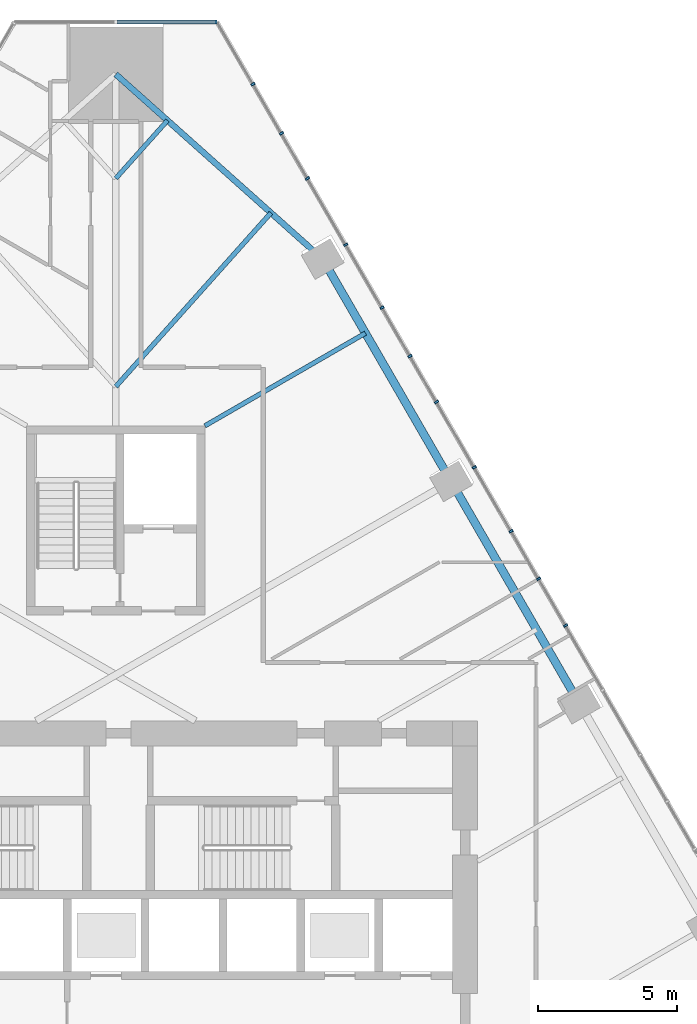
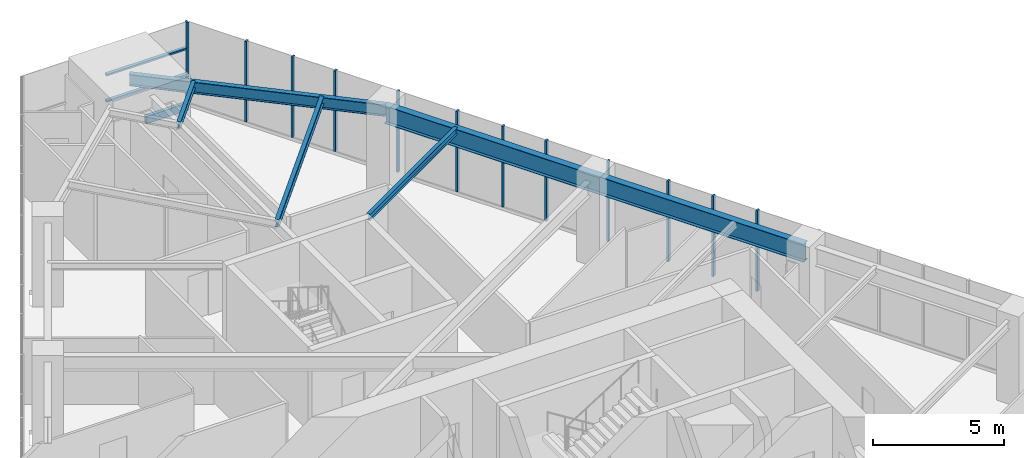
# One storey, part 10 of 19: 15 members, 5 beams, 2 elements without a shape of their own.
"""IFC4 building model written with IfcOpenShell, lengths in metres."""

from ifc_helpers import new_model, si_unit, direction, frame, origin, origin_2d, place, context, subcontext, project, spatial, rectangle, i_section, extrude, material, layer, layer_set, material_profile, profile_set, type_object, element, aggregate, save


model = new_model("IFC4")

# Units and contexts
model_context = context("Model", 3, precision=1e-05, world=origin(), true_north=direction((0.0, 1.0)))
body_context = subcontext(model_context, "Body", "Model", "MODEL_VIEW")
ifc_project = project(units=[si_unit("LENGTHUNIT", "METRE"), si_unit("AREAUNIT", "SQUARE_METRE"), si_unit("VOLUMEUNIT", "CUBIC_METRE"), si_unit("PLANEANGLEUNIT", "RADIAN"), si_unit("MASSUNIT", "GRAM", prefix="KILO")], contexts=[model_context])

# Site, building, storey
site_placement = place(None, origin())
site = spatial("IfcSite", under=ifc_project, at=site_placement, CompositionType="ELEMENT")
building_placement = place(site_placement, origin())
building = spatial("IfcBuilding", under=site, at=building_placement, Name="Firuza Gate Tower and Library", CompositionType="ELEMENT")
storey_placement = place(building_placement, frame((0.0, 0.0, 136.60009765625)))
storey = spatial("IfcBuildingStorey", under=building, at=storey_placement, Name="L31", CompositionType="ELEMENT", Elevation=136.60009765625)

# Curtain wall, members
ifc_material_1 = material(Name="Aluminium 6063-T6", Category="aluminium")
ifc_layer_1 = layer(ifc_material_1, 0.14990234375)
ifc_layer_set_1 = layer_set([ifc_layer_1], Name="Unitised curtain wall, offices")
curtain_wall_type_1 = type_object("IfcCurtainWallType", Name="Unitised curtain wall, offices", PredefinedType="NOTDEFINED", material=ifc_layer_set_1)
placement = place(storey_placement, origin())
curtain_wall_1 = element("IfcCurtainWall", 1, at=placement, inside=storey, type_object=curtain_wall_type_1, Name="CW1 L31 E face", PredefinedType="NOTDEFINED")
ifc_material_2 = material(Name="Aluminium 6063-T6", Category="aluminium")
ifc_material_profile_1 = material_profile(ifc_material_2, rectangle(XDim=0.14990234375, YDim=0.080078125, at=origin_2d()))
ifc_profile_set_1 = profile_set([ifc_material_profile_1], Name="Aluminium 6063-T6")
member_type_1 = type_object("IfcMemberType", Name="Curtain wall mullion 80x150", PredefinedType="MULLION", material=ifc_profile_set_1)
member_1_placement = place(storey_placement, frame((90.190185546875, 89.103515625, 0.14990234375), z_axis=(0.0, 0.0, 1.0), x_axis=(-0.866025403784, -0.5, 0.0)))
member_1 = element("IfcMember", 2, at=member_1_placement, type_object=member_type_1, Name="Mullion", PredefinedType="MULLION", context=body_context, shape_type="SweptSolid", body=[
    extrude(rectangle(XDim=0.14990234375, YDim=0.080078125, at=origin_2d()), origin(), (0.0, 0.0, 1.0), 3.75),
])
member_2_placement = place(storey_placement, frame((87.880859375, 93.103271484375, 0.14990234375), z_axis=(0.0, 0.0, 1.0), x_axis=(-0.866025403784, -0.5, 0.0)))
member_2 = element("IfcMember", 3, at=member_2_placement, type_object=member_type_1, Name="Mullion", PredefinedType="MULLION", context=body_context, shape_type="SweptSolid", body=[
    extrude(rectangle(XDim=0.14990234375, YDim=0.080078125, at=origin_2d()), origin(), (0.0, 0.0, 1.0), 3.75),
])
member_3_placement = place(storey_placement, frame((85.571533203125, 97.103271484375, 0.14990234375), z_axis=(0.0, 0.0, 1.0), x_axis=(-0.866025403784, -0.5, 0.0)))
member_3 = element("IfcMember", 4, at=member_3_placement, type_object=member_type_1, Name="Mullion", PredefinedType="MULLION", context=body_context, shape_type="SweptSolid", body=[
    extrude(rectangle(XDim=0.14990234375, YDim=0.080078125, at=origin_2d()), origin(), (0.0, 0.0, 1.0), 3.75),
])
member_4_placement = place(storey_placement, frame((83.261962890625, 101.103271484375, 0.14990234375), z_axis=(0.0, 0.0, 1.0), x_axis=(-0.866025403784, -0.5, 0.0)))
member_4 = element("IfcMember", 5, at=member_4_placement, type_object=member_type_1, Name="Mullion", PredefinedType="MULLION", context=body_context, shape_type="SweptSolid", body=[
    extrude(rectangle(XDim=0.14990234375, YDim=0.080078125, at=origin_2d()), origin(), (0.0, 0.0, 1.0), 3.75),
])
member_5_placement = place(storey_placement, frame((80.95263671875, 105.103271484375, 0.14990234375), z_axis=(0.0, 0.0, 1.0), x_axis=(-0.866025403784, -0.5, 0.0)))
member_5 = element("IfcMember", 6, at=member_5_placement, type_object=member_type_1, Name="Mullion", PredefinedType="MULLION", context=body_context, shape_type="SweptSolid", body=[
    extrude(rectangle(XDim=0.14990234375, YDim=0.080078125, at=origin_2d()), origin(), (0.0, 0.0, 1.0), 3.75),
])
member_6_placement = place(storey_placement, frame((91.15966796875, 87.42431640625, 0.14990234375), z_axis=(0.0, 0.0, 1.0), x_axis=(-0.866025403784, -0.5, 0.0)))
member_6 = element("IfcMember", 7, at=member_6_placement, type_object=member_type_1, Name="Mullion", PredefinedType="MULLION", context=body_context, shape_type="SweptSolid", body=[
    extrude(rectangle(XDim=0.14990234375, YDim=0.080078125, at=origin_2d()), origin(), (0.0, 0.0, 1.0), 3.75),
])
member_7_placement = place(storey_placement, frame((89.20361328125, 90.8125, 0.14990234375), z_axis=(0.0, 0.0, 1.0), x_axis=(-0.866025403784, -0.5, 0.0)))
member_7 = element("IfcMember", 8, at=member_7_placement, type_object=member_type_1, Name="Mullion", PredefinedType="MULLION", context=body_context, shape_type="SweptSolid", body=[
    extrude(rectangle(XDim=0.14990234375, YDim=0.080078125, at=origin_2d()), origin(), (0.0, 0.0, 1.0), 3.75),
])
member_8_placement = place(storey_placement, frame((86.5234375, 95.454345703125, 0.14990234375), z_axis=(0.0, 0.0, 1.0), x_axis=(-0.866025403784, -0.5, 0.0)))
member_8 = element("IfcMember", 9, at=member_8_placement, type_object=member_type_1, Name="Mullion", PredefinedType="MULLION", context=body_context, shape_type="SweptSolid", body=[
    extrude(rectangle(XDim=0.14990234375, YDim=0.080078125, at=origin_2d()), origin(), (0.0, 0.0, 1.0), 3.75),
])
member_9_placement = place(storey_placement, frame((84.5673828125, 98.842529296875, 0.14990234375), z_axis=(0.0, 0.0, 1.0), x_axis=(-0.866025403784, -0.5, 0.0)))
member_9 = element("IfcMember", 10, at=member_9_placement, type_object=member_type_1, Name="Mullion", PredefinedType="MULLION", context=body_context, shape_type="SweptSolid", body=[
    extrude(rectangle(XDim=0.14990234375, YDim=0.080078125, at=origin_2d()), origin(), (0.0, 0.0, 1.0), 3.75),
])
member_10_placement = place(storey_placement, frame((81.887451171875, 103.484375, 0.14990234375), z_axis=(0.0, 0.0, 1.0), x_axis=(-0.866025403784, -0.5, 0.0)))
member_10 = element("IfcMember", 11, at=member_10_placement, type_object=member_type_1, Name="Mullion", PredefinedType="MULLION", context=body_context, shape_type="SweptSolid", body=[
    extrude(rectangle(XDim=0.14990234375, YDim=0.080078125, at=origin_2d()), origin(), (0.0, 0.0, 1.0), 3.75),
])
member_11_placement = place(storey_placement, frame((79.93115234375, 106.87255859375, 0.14990234375), z_axis=(0.0, 0.0, 1.0), x_axis=(-0.866025403784, -0.5, 0.0)))
member_11 = element("IfcMember", 12, at=member_11_placement, type_object=member_type_1, Name="Mullion", PredefinedType="MULLION", context=body_context, shape_type="SweptSolid", body=[
    extrude(rectangle(XDim=0.14990234375, YDim=0.080078125, at=origin_2d()), origin(), (0.0, 0.0, 1.0), 3.75),
])
aggregate(curtain_wall_1, [member_1, member_2, member_3, member_4, member_5, member_6, member_7, member_8, member_9, member_10, member_11])

ifc_material_3 = material(Name="Aluminium 6063-T6", Category="aluminium")
ifc_layer_2 = layer(ifc_material_3, 0.14990234375)
ifc_layer_set_2 = layer_set([ifc_layer_2], Name="Corner curtain wall, chamfers")
curtain_wall_type_2 = type_object("IfcCurtainWallType", Name="Corner curtain wall, chamfers", PredefinedType="NOTDEFINED", material=ifc_layer_set_2)
curtain_wall_2 = element("IfcCurtainWall", 13, at=placement, inside=storey, type_object=curtain_wall_type_2, Name="CW4 L31 N corner", PredefinedType="NOTDEFINED")
member_12_placement = place(storey_placement, frame((78.603271484375, 109.103271484375, 0.14990234375), z_axis=(0.0, 0.0, 1.0), x_axis=(0.0, -1.0, 0.0)))
member_12 = element("IfcMember", 14, at=member_12_placement, type_object=member_type_1, Name="Mullion", PredefinedType="MULLION", context=body_context, shape_type="SweptSolid", body=[
    extrude(rectangle(XDim=0.14990234375, YDim=0.080078125, at=origin_2d()), origin(), (0.0, 0.0, 1.0), 3.75),
])
ifc_material_4 = material(Name="Aluminium 6063-T6", Category="aluminium")
ifc_material_profile_2 = material_profile(ifc_material_4, rectangle(XDim=0.14990234375, YDim=0.35009765625, at=origin_2d()))
ifc_profile_set_2 = profile_set([ifc_material_profile_2], Name="Aluminium 6063-T6")
member_type_2 = type_object("IfcMemberType", Name="Curtain wall transom 350x150", PredefinedType="USERDEFINED", material=ifc_profile_set_2)
member_13_placement = place(storey_placement, frame((78.643310546875, 109.103271484375, -0.025146484375), z_axis=(-1.0, 0.0, 0.0), x_axis=(0.0, -1.0, 0.0)))
member_13 = element("IfcMember", 15, at=member_13_placement, type_object=member_type_2, Name="Transom", ObjectType="TRANSOM", PredefinedType="USERDEFINED", context=body_context, shape_type="SweptSolid", body=[
    extrude(rectangle(XDim=0.14990234375, YDim=0.35009765625, at=origin_2d()), origin(), (0.0, 0.0, 1.0), 1.863525390625),
])
ifc_material_5 = material(Name="Aluminium 6063-T6", Category="aluminium")
ifc_material_profile_3 = material_profile(ifc_material_5, rectangle(XDim=0.14990234375, YDim=0.080078125, at=origin_2d()))
ifc_profile_set_3 = profile_set([ifc_material_profile_3], Name="Aluminium 6063-T6")
member_type_3 = type_object("IfcMemberType", Name="Curtain wall transom 80x150", PredefinedType="USERDEFINED", material=ifc_profile_set_3)
member_14_placement = place(storey_placement, frame((78.603271484375, 109.103271484375, 1.449951171875), z_axis=(-1.0, 0.0, 0.0), x_axis=(0.0, -1.0, 0.0)))
member_14 = element("IfcMember", 16, at=member_14_placement, type_object=member_type_3, Name="Transom", ObjectType="TRANSOM", PredefinedType="USERDEFINED", context=body_context, shape_type="SweptSolid", body=[
    extrude(rectangle(XDim=0.14990234375, YDim=0.080078125, at=origin_2d()), origin(), (0.0, 0.0, 1.0), 3.563232421875),
])
member_15_placement = place(storey_placement, frame((78.603271484375, 109.103271484375, 2.6748046875), z_axis=(-1.0, 0.0, 0.0), x_axis=(0.0, -1.0, 0.0)))
member_15 = element("IfcMember", 17, at=member_15_placement, type_object=member_type_3, Name="Transom", ObjectType="TRANSOM", PredefinedType="USERDEFINED", context=body_context, shape_type="SweptSolid", body=[
    extrude(rectangle(XDim=0.14990234375, YDim=0.080078125, at=origin_2d()), origin(), (0.0, 0.0, 1.0), 3.563232421875),
])
aggregate(curtain_wall_2, [member_12, member_13, member_14, member_15])

# Beams
ifc_material_6 = material(Name="Steel S355", Category="steel")
ifc_material_profile_4 = material_profile(ifc_material_6, i_section(OverallWidth=0.1650390625, OverallDepth=0.31005859375, WebThickness=0.005859375, FlangeThickness=0.009765625, at=origin_2d()))
ifc_profile_set_4 = profile_set([ifc_material_profile_4], Name="Steel S355")
beam_type_1 = type_object("IfcBeamType", Name="W310x39 Floor beam", PredefinedType="JOIST", material=ifc_profile_set_4)
beam_1_placement = place(storey_placement, frame((83.96923828125, 97.928466796875, 3.744873046875), z_axis=(-0.866015314403, -0.500017474915, 0.0), x_axis=(0.500017474915, -0.866015314403, 0.0)))
element("IfcBeam", 18, at=beam_1_placement, inside=storey, type_object=beam_type_1, Name="Floor beam L31 s55", PredefinedType="JOIST", context=body_context, shape_type="SweptSolid", body=[
    extrude(i_section(OverallWidth=0.1650390625, OverallDepth=0.31005859375, WebThickness=0.005859375, FlangeThickness=0.009765625, at=origin_2d()), origin(), (0.0, 0.0, 1.0), 6.661865234375),
])
beam_2_placement = place(storey_placement, frame((76.858154296875, 105.56884765625, 3.744873046875), z_axis=(-0.666160121877, -0.745808750298, 0.0), x_axis=(0.745808750298, -0.666160121877, 0.0)))
element("IfcBeam", 19, at=beam_2_placement, inside=storey, type_object=beam_type_1, Name="Floor beam L31 s61", PredefinedType="JOIST", context=body_context, shape_type="SweptSolid", body=[
    extrude(i_section(OverallWidth=0.1650390625, OverallDepth=0.31005859375, WebThickness=0.005859375, FlangeThickness=0.009765625, at=origin_2d()), origin(), (0.0, 0.0, 1.0), 2.789306640625),
])
ifc_material_7 = material(Name="Steel S355", Category="steel")
ifc_material_profile_5 = material_profile(ifc_material_7, i_section(OverallWidth=0.1708984375, OverallDepth=0.35498046875, WebThickness=0.007080078125, FlangeThickness=0.01171875, at=origin_2d()))
ifc_profile_set_5 = profile_set([ifc_material_profile_5], Name="Steel S355")
beam_type_2 = type_object("IfcBeamType", Name="W360x51 Floor beam", PredefinedType="JOIST", material=ifc_profile_set_5)
beam_3_placement = place(storey_placement, frame((80.57421875, 102.250244140625, 3.722412109375), z_axis=(-0.666114903296, -0.745849137297, 0.0), x_axis=(0.745849137297, -0.666114903296, 0.0)))
element("IfcBeam", 20, at=beam_3_placement, inside=storey, type_object=beam_type_2, Name="Floor beam L31 s60", PredefinedType="JOIST", context=body_context, shape_type="SweptSolid", body=[
    extrude(i_section(OverallWidth=0.1708984375, OverallDepth=0.35498046875, WebThickness=0.007080078125, FlangeThickness=0.01171875, at=origin_2d()), origin(), (0.0, 0.0, 1.0), 8.3681640625),
])
ifc_material_8 = material(Name="Steel S355", Category="steel")
ifc_material_profile_6 = material_profile(ifc_material_8, i_section(OverallWidth=0.212890625, OverallDepth=0.5390625, WebThickness=0.01171875, FlangeThickness=0.018798828125, at=origin_2d()))
ifc_profile_set_6 = profile_set([ifc_material_profile_6], Name="Steel S355")
beam_type_3 = type_object("IfcBeamType", Name="W530x109 Edge beam", PredefinedType="SPANDREL", material=ifc_profile_set_6)
beam_4_placement = place(storey_placement, frame((82.43212890625, 100.5908203125, 3.63037109375), z_axis=(-0.745856797899, 0.666106325618, 0.0), x_axis=(-0.666106325618, -0.745856797899, 0.0)))
element("IfcBeam", 21, at=beam_4_placement, inside=storey, type_object=beam_type_3, Name="Edge beam L31 e60", PredefinedType="SPANDREL", context=body_context, shape_type="SweptSolid", body=[
    extrude(i_section(OverallWidth=0.212890625, OverallDepth=0.5390625, WebThickness=0.01171875, FlangeThickness=0.018798828125, at=origin_2d()), origin(), (0.0, 0.0, 1.0), 9.964599609375),
])
ifc_material_9 = material(Name="Steel S355", Category="steel")
ifc_material_profile_7 = material_profile(ifc_material_9, i_section(OverallWidth=0.2919921875, OverallDepth=0.8349609375, WebThickness=0.013916015625, FlangeThickness=0.018798828125, at=origin_2d()))
ifc_profile_set_7 = profile_set([ifc_material_profile_7], Name="Steel S355")
beam_type_4 = type_object("IfcBeamType", Name="W840x176 Edge beam", PredefinedType="SPANDREL", material=ifc_profile_set_7)
beam_5_placement = place(storey_placement, frame((91.6552734375, 84.615966796875, 3.482421875), z_axis=(-0.500002380722, 0.86602402927, 0.0), x_axis=(-0.86602402927, -0.500002380722, 0.0)))
element("IfcBeam", 22, at=beam_5_placement, inside=storey, type_object=beam_type_4, Name="Edge beam L31 e52", PredefinedType="SPANDREL", context=body_context, shape_type="SweptSolid", body=[
    extrude(i_section(OverallWidth=0.2919921875, OverallDepth=0.8349609375, WebThickness=0.013916015625, FlangeThickness=0.018798828125, at=origin_2d()), origin(), (0.0, 0.0, 1.0), 18.4462890625),
])

save(model, "model.ifc")
